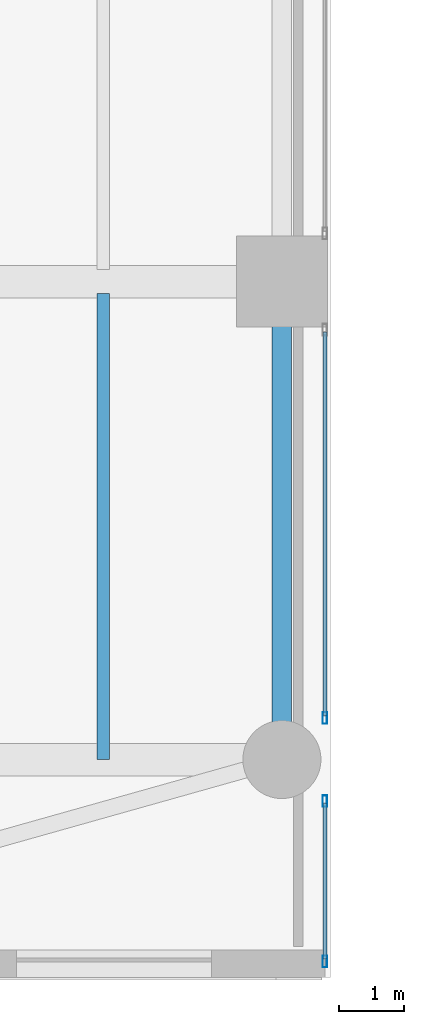
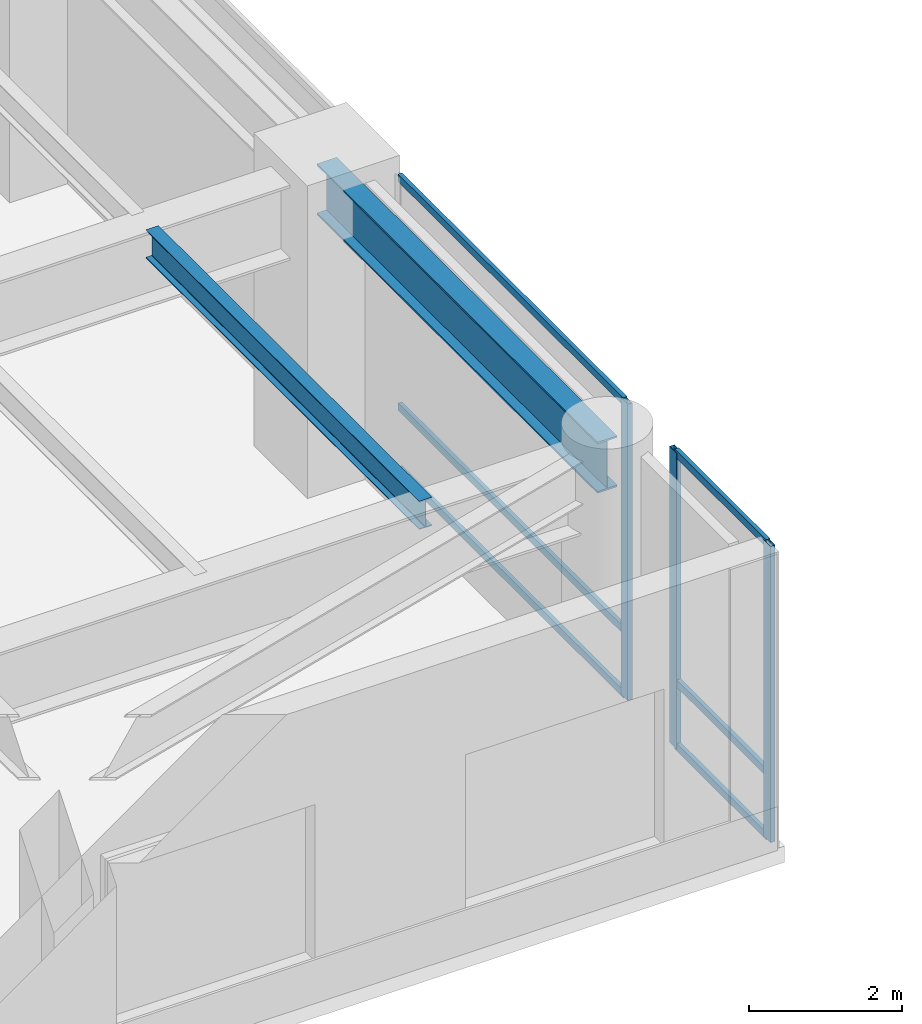
# One storey, part 2 of 24: 9 members, 2 beams, 2 elements without a shape of their own.
"""IFC4 building model written with IfcOpenShell, lengths in metres."""

from ifc_helpers import new_model, si_unit, direction, frame, origin, origin_2d, place, context, subcontext, project, spatial, hollow_rectangle, i_section, extrude, source, transform, mapped, material, layer, layer_set, material_profile, profile_set, type_object, type_shapes, element, aggregate, save


model = new_model("IFC4")

# Units and contexts
model_context = context("Model", 3, precision=1e-05, world=origin(), true_north=direction((0.0, 1.0)))
body_context = subcontext(model_context, "Body", "Model", "MODEL_VIEW")
ifc_project = project(units=[si_unit("LENGTHUNIT", "METRE"), si_unit("AREAUNIT", "SQUARE_METRE"), si_unit("VOLUMEUNIT", "CUBIC_METRE"), si_unit("PLANEANGLEUNIT", "RADIAN"), si_unit("MASSUNIT", "GRAM", prefix="KILO")], contexts=[model_context])

# Site, building, storey
site_placement = place(None, origin())
site = spatial("IfcSite", under=ifc_project, at=site_placement, CompositionType="ELEMENT")
building_placement = place(site_placement, origin())
building = spatial("IfcBuilding", under=site, at=building_placement, Name="Tolvann Quenvar Hotel", CompositionType="ELEMENT")
storey_placement = place(building_placement, frame((0.0, 0.0, 6.0)))
storey = spatial("IfcBuildingStorey", under=building, at=storey_placement, Name="L01", CompositionType="ELEMENT", Elevation=6.0)

# Beams
ifc_material_1 = material(Name="Steel Grade 350", Category="steel")
ifc_material_profile_1 = material_profile(ifc_material_1, i_section(OverallWidth=0.300048828125, OverallDepth=0.81591796875, WebThickness=0.010009765625, FlangeThickness=0.028076171875, at=origin_2d()), Name="800WB192")
ifc_profile_set_1 = profile_set([ifc_material_profile_1], Name="Steel Grade 350")
beam_type_1 = type_object("IfcBeamType", Name="BM_GIRD_800WB192", PredefinedType="BEAM", material=ifc_profile_set_1)
shared_shape_1 = source(origin(), body_context, "Body", "SweptSolid", [
    extrude(i_section(OverallWidth=0.300048828125, OverallDepth=0.81591796875, WebThickness=0.010009765625, FlangeThickness=0.028076171875, at=origin_2d()), origin(), (0.0, 0.0, 1.0), 7.349853515625),
])
type_shapes(beam_type_1, [shared_shape_1])
beam_1_placement = place(storey_placement, frame((18.75, 0.85009765625, 4.33203125), z_axis=(0.0, 1.0, 0.0), x_axis=(-1.0, 0.0, 0.0)))
element("IfcBeam", 1, at=beam_1_placement, inside=storey, type_object=beam_type_1, Name="BM-L01-NS-APW-0", PredefinedType="BEAM", context=body_context, shape_type="MappedRepresentation", body=[
    mapped(shared_shape_1, transform((0.0, 0.0, 0.0), x_axis=(1.0, 0.0, 0.0), y_axis=(0.0, 1.0, 0.0), z_axis=(0.0, 0.0, 1.0), scale=1.0)),
])
ifc_material_profile_2 = material_profile(ifc_material_1, i_section(OverallWidth=0.18994140625, OverallDepth=0.4541015625, WebThickness=0.008544921875, FlangeThickness=0.0126953125, FilletRadius=0.011474609375, at=origin_2d()), Name="460UB67")
ifc_profile_set_2 = profile_set([ifc_material_profile_2], Name="Steel Grade 350")
beam_type_2 = type_object("IfcBeamType", Name="BM_JOIST_460UB67", PredefinedType="JOIST", material=ifc_profile_set_2)
shared_shape_2 = source(origin(), body_context, "Body", "SweptSolid", [
    extrude(i_section(OverallWidth=0.18994140625, OverallDepth=0.4541015625, WebThickness=0.008544921875, FlangeThickness=0.0126953125, FilletRadius=0.011474609375, at=origin_2d()), origin(), (0.0, 0.0, 1.0), 7.164794921875),
])
type_shapes(beam_type_2, [shared_shape_2])
beam_2_placement = place(storey_placement, frame((16.0, 0.85009765625, 4.512939453125), z_axis=(0.0, 1.0, 0.0), x_axis=(-1.0, 0.0, 0.0)))
element("IfcBeam", 2, at=beam_2_placement, inside=storey, type_object=beam_type_2, Name="BJ-L01-160-8", PredefinedType="JOIST", context=body_context, shape_type="MappedRepresentation", body=[
    mapped(shared_shape_2, transform((0.0, 0.0, 0.0), x_axis=(1.0, 0.0, 0.0), y_axis=(0.0, 1.0, 0.0), z_axis=(0.0, 0.0, 1.0), scale=1.0)),
])

# Curtain wall, members
ifc_material_2 = material(Name="Thermally broken anodised architectural aluminium 6063-T6 and laminated low-E glass", Category="aluminium")
ifc_layer = layer(ifc_material_2, 0.179931640625)
ifc_layer_set = layer_set([ifc_layer], Name="Thermally broken anodised architectural aluminium 6063-T6 and laminated low-E glass")
curtain_wall_type = type_object("IfcCurtainWallType", Name="CW_SYS_ARCH_01", PredefinedType="USERDEFINED", material=ifc_layer_set)
curtain_wall_1_placement = place(storey_placement, origin())
curtain_wall_1 = element("IfcCurtainWall", 3, at=curtain_wall_1_placement, inside=storey, type_object=curtain_wall_type, Name="Curtain Wall CW-ARCH-01 (CWR-L01-E01-S1)", ObjectType="UNITISED CURTAIN WALL", PredefinedType="USERDEFINED")
ifc_material_3 = material(Name="Anodised architectural aluminium 6063-T6 framing", Category="aluminium")
ifc_material_profile_3 = material_profile(ifc_material_3, hollow_rectangle(XDim=0.06005859375, YDim=0.1201171875, WallThickness=0.00341796875, at=origin_2d()), Name="120x60x3.5RHS")
ifc_profile_set_3 = profile_set([ifc_material_profile_3], Name="Anodised architectural aluminium 6063-T6 framing")
member_type_1 = type_object("IfcMemberType", Name="CW_TRAN_120x60", PredefinedType="USERDEFINED", material=ifc_profile_set_3)
shared_shape_3 = source(origin(), body_context, "Body", "SweptSolid", [
    extrude(hollow_rectangle(XDim=0.06005859375, YDim=0.1201171875, WallThickness=0.00341796875, at=origin_2d()), origin(), (0.0, 0.0, 1.0), 2.39599609375),
])
member_1_placement = place(storey_placement, frame((19.409912109375, -2.219970703125, 0.030029296875), z_axis=(0.0, 1.0, 0.0), x_axis=(-1.0, 0.0, 0.0)))
member_1 = element("IfcMember", 4, at=member_1_placement, type_object=member_type_1, Name="CW-ARCH-01 transom 1.1", ObjectType="TRANSOM", PredefinedType="USERDEFINED", context=body_context, shape_type="MappedRepresentation", body=[
    mapped(shared_shape_3, transform((0.0, 0.0, 0.0), x_axis=(1.0, 0.0, 0.0), y_axis=(0.0, 1.0, 0.0), z_axis=(0.0, 0.0, 1.0), scale=1.0)),
])
member_2_placement = place(storey_placement, frame((19.409912109375, -2.219970703125, 1.050048828125), z_axis=(0.0, 1.0, 0.0), x_axis=(-1.0, 0.0, 0.0)))
member_2 = element("IfcMember", 5, at=member_2_placement, type_object=member_type_1, Name="CW-ARCH-01 transom 1.2", ObjectType="TRANSOM", PredefinedType="USERDEFINED", context=body_context, shape_type="MappedRepresentation", body=[
    mapped(shared_shape_3, transform((0.0, 0.0, 0.0), x_axis=(1.0, 0.0, 0.0), y_axis=(0.0, 1.0, 0.0), z_axis=(0.0, 0.0, 1.0), scale=1.0)),
])
member_3_placement = place(storey_placement, frame((19.409912109375, -2.219970703125, 4.7099609375), z_axis=(0.0, 1.0, 0.0), x_axis=(-1.0, 0.0, 0.0)))
member_3 = element("IfcMember", 6, at=member_3_placement, type_object=member_type_1, Name="CW-ARCH-01 transom 1.3", ObjectType="TRANSOM", PredefinedType="USERDEFINED", context=body_context, shape_type="MappedRepresentation", body=[
    mapped(shared_shape_3, transform((0.0, 0.0, 0.0), x_axis=(1.0, 0.0, 0.0), y_axis=(0.0, 1.0, 0.0), z_axis=(0.0, 0.0, 1.0), scale=1.0)),
])

curtain_wall_2_placement = place(storey_placement, origin())
curtain_wall_2 = element("IfcCurtainWall", 7, at=curtain_wall_2_placement, inside=storey, type_object=curtain_wall_type, Name="Curtain Wall CW-ARCH-01 (CWR-L01-E01-S2)", ObjectType="UNITISED CURTAIN WALL", PredefinedType="USERDEFINED")
shared_shape_4 = source(origin(), body_context, "Body", "SweptSolid", [
    extrude(hollow_rectangle(XDim=0.06005859375, YDim=0.1201171875, WallThickness=0.00341796875, at=origin_2d()), origin(), (0.0, 0.0, 1.0), 5.902099609375),
])
type_shapes(member_type_1, [shared_shape_3, shared_shape_4])
member_4_placement = place(storey_placement, frame((19.409912109375, 1.52392578125, 0.030029296875), z_axis=(0.0, 1.0, 0.0), x_axis=(-1.0, 0.0, 0.0)))
member_4 = element("IfcMember", 8, at=member_4_placement, type_object=member_type_1, Name="CW-ARCH-01 transom 1.1", ObjectType="TRANSOM", PredefinedType="USERDEFINED", context=body_context, shape_type="MappedRepresentation", body=[
    mapped(shared_shape_4, transform((0.0, 0.0, 0.0), x_axis=(1.0, 0.0, 0.0), y_axis=(0.0, 1.0, 0.0), z_axis=(0.0, 0.0, 1.0), scale=1.0)),
])
member_5_placement = place(storey_placement, frame((19.409912109375, 1.52392578125, 1.050048828125), z_axis=(0.0, 1.0, 0.0), x_axis=(-1.0, 0.0, 0.0)))
member_5 = element("IfcMember", 9, at=member_5_placement, type_object=member_type_1, Name="CW-ARCH-01 transom 1.2", ObjectType="TRANSOM", PredefinedType="USERDEFINED", context=body_context, shape_type="MappedRepresentation", body=[
    mapped(shared_shape_4, transform((0.0, 0.0, 0.0), x_axis=(1.0, 0.0, 0.0), y_axis=(0.0, 1.0, 0.0), z_axis=(0.0, 0.0, 1.0), scale=1.0)),
])
member_6_placement = place(storey_placement, frame((19.409912109375, 1.52392578125, 4.7099609375), z_axis=(0.0, 1.0, 0.0), x_axis=(-1.0, 0.0, 0.0)))
member_6 = element("IfcMember", 10, at=member_6_placement, type_object=member_type_1, Name="CW-ARCH-01 transom 1.3", ObjectType="TRANSOM", PredefinedType="USERDEFINED", context=body_context, shape_type="MappedRepresentation", body=[
    mapped(shared_shape_4, transform((0.0, 0.0, 0.0), x_axis=(1.0, 0.0, 0.0), y_axis=(0.0, 1.0, 0.0), z_axis=(0.0, 0.0, 1.0), scale=1.0)),
])

# Member
ifc_material_profile_4 = material_profile(ifc_material_3, hollow_rectangle(XDim=0.070068359375, YDim=0.179931640625, WallThickness=0.00390625, at=origin_2d()), Name="180x70x4RHS")
ifc_profile_set_4 = profile_set([ifc_material_profile_4], Name="Anodised architectural aluminium 6063-T6 framing")
member_type_2 = type_object("IfcMemberType", Name="CW_MULL_180x70", PredefinedType="MULLION", material=ifc_profile_set_4)
shared_shape_5 = source(origin(), body_context, "Body", "SweptSolid", [
    extrude(hollow_rectangle(XDim=0.070068359375, YDim=0.179931640625, WallThickness=0.00390625, at=origin_2d()), origin(), (0.0, 0.0, 1.0), 4.739990234375),
])
type_shapes(member_type_2, [shared_shape_5])
member_7_placement = place(storey_placement, frame((19.409912109375, -2.2548828125, 0.0), z_axis=(0.0, 0.0, 1.0), x_axis=(-1.0, 0.0, 0.0)))
member_7 = element("IfcMember", 11, at=member_7_placement, type_object=member_type_2, Name="CW-ARCH-01 mullion 1", PredefinedType="MULLION", context=body_context, shape_type="MappedRepresentation", body=[
    mapped(shared_shape_5, transform((0.0, 0.0, 0.0), x_axis=(1.0, 0.0, 0.0), y_axis=(0.0, 1.0, 0.0), z_axis=(0.0, 0.0, 1.0), scale=1.0)),
])

member_8_placement = place(storey_placement, frame((19.409912109375, 0.2109375, 0.0), z_axis=(0.0, 0.0, 1.0), x_axis=(-1.0, 0.0, 0.0)))
member_8 = element("IfcMember", 12, at=member_8_placement, type_object=member_type_2, Name="CW-ARCH-01 mullion 2", PredefinedType="MULLION", context=body_context, shape_type="MappedRepresentation", body=[
    mapped(shared_shape_5, transform((0.0, 0.0, 0.0), x_axis=(1.0, 0.0, 0.0), y_axis=(0.0, 1.0, 0.0), z_axis=(0.0, 0.0, 1.0), scale=1.0)),
])

aggregate(curtain_wall_1, [member_7, member_8, member_1, member_2, member_3])

member_9_placement = place(storey_placement, frame((19.409912109375, 1.489013671875, 0.0), z_axis=(0.0, 0.0, 1.0), x_axis=(-1.0, 0.0, 0.0)))
member_9 = element("IfcMember", 13, at=member_9_placement, type_object=member_type_2, Name="CW-ARCH-01 mullion 1", PredefinedType="MULLION", context=body_context, shape_type="MappedRepresentation", body=[
    mapped(shared_shape_5, transform((0.0, 0.0, 0.0), x_axis=(1.0, 0.0, 0.0), y_axis=(0.0, 1.0, 0.0), z_axis=(0.0, 0.0, 1.0), scale=1.0)),
])

aggregate(curtain_wall_2, [member_9, member_4, member_5, member_6])

save(model, "model.ifc")
